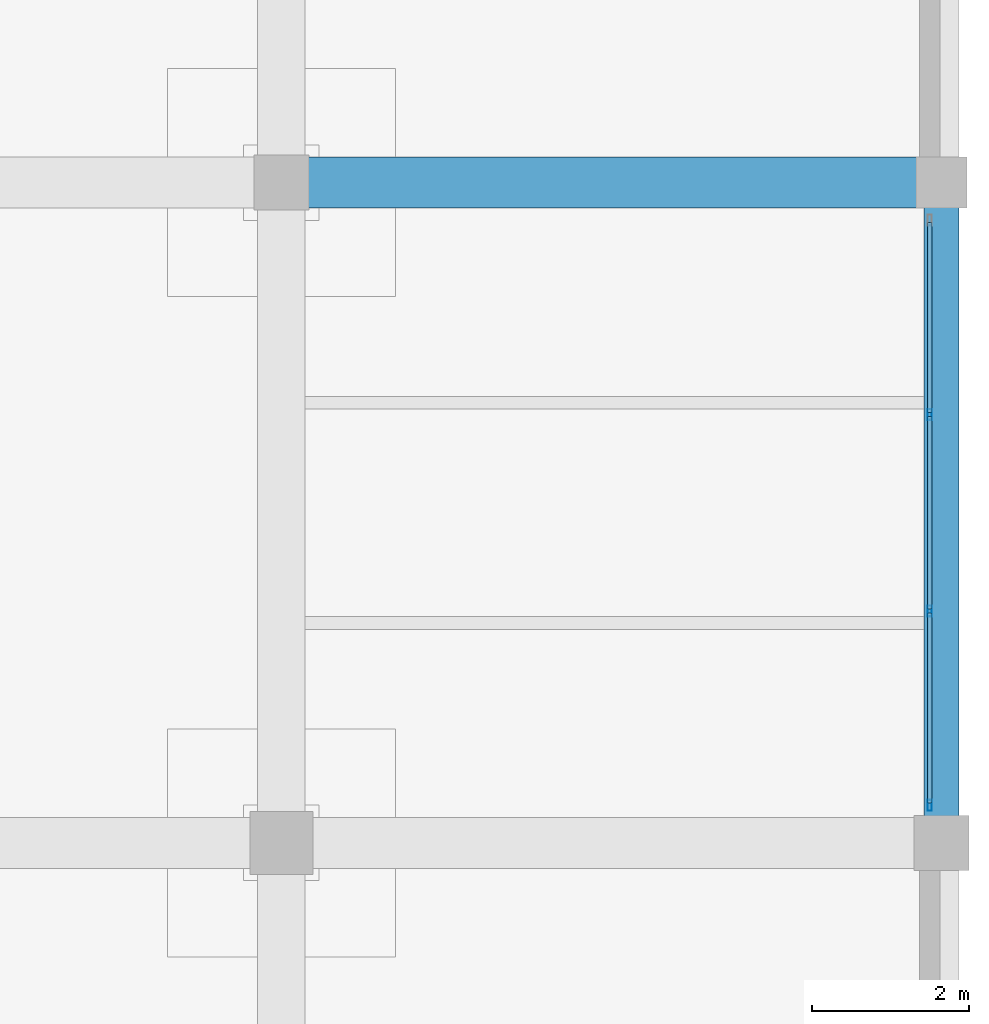
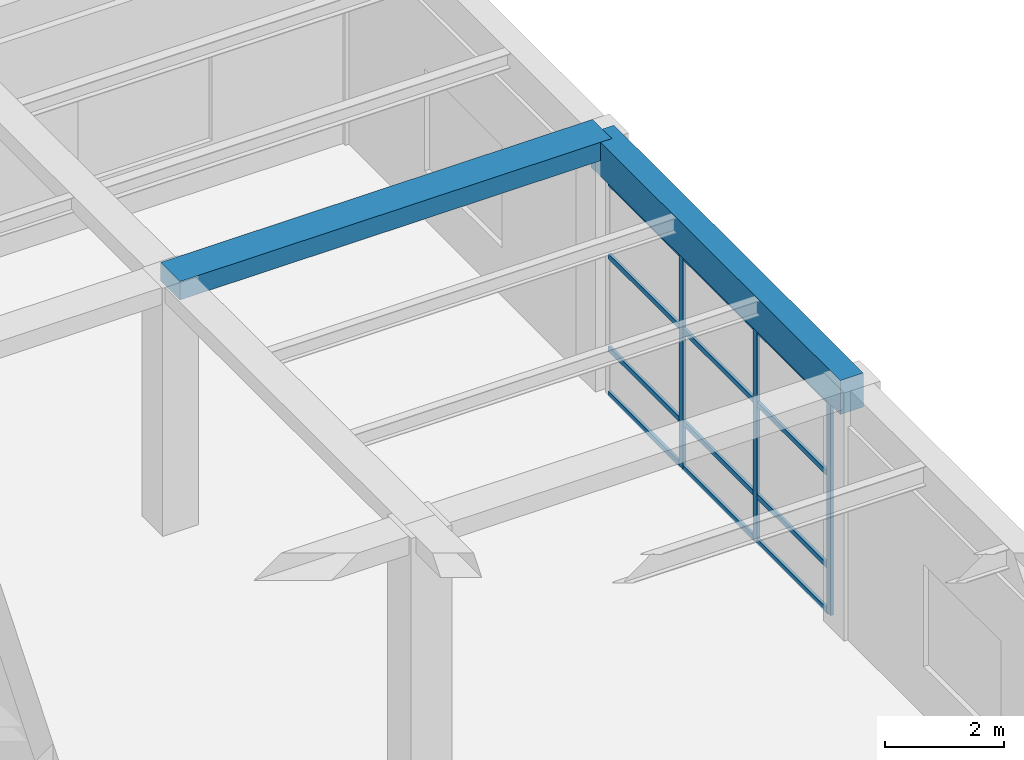
# One storey, part 65 of 95: 15 members, 2 beams, 1 element without a shape of its own.
"""IFC4 building model written with IfcOpenShell, lengths in metres."""

from ifc_helpers import new_model, si_unit, direction, frame, origin, origin_2d, place, context, subcontext, project, spatial, rectangle, hollow_rectangle, extrude, material, material_profile, profile_set, type_object, element, aggregate, save


model = new_model("IFC4")

# Units and contexts
model_context = context("Model", 3, precision=1e-05, world=origin(), true_north=direction((0.0, 1.0)))
body_context = subcontext(model_context, "Body", "Model", "MODEL_VIEW")
ifc_project = project(units=[si_unit("LENGTHUNIT", "METRE"), si_unit("AREAUNIT", "SQUARE_METRE"), si_unit("VOLUMEUNIT", "CUBIC_METRE"), si_unit("PLANEANGLEUNIT", "RADIAN"), si_unit("MASSUNIT", "GRAM", prefix="KILO")], contexts=[model_context])

# Site, building, storey
site_placement = place(None, origin())
site = spatial("IfcSite", under=ifc_project, at=site_placement, CompositionType="ELEMENT")
building_placement = place(site_placement, origin())
building = spatial("IfcBuilding", under=site, at=building_placement, Name="Almacenes y Pasaje Nevantli", CompositionType="ELEMENT")
storey_placement = place(building_placement, frame((0.0, 0.0, 11.39990234375)))
storey = spatial("IfcBuildingStorey", under=building, at=storey_placement, Name="L03", CompositionType="ELEMENT", Elevation=11.39990234375)

# Beams
ifc_material_1 = material(Name="Concrete C35/45", Category="concrete")
ifc_material_profile_1 = material_profile(ifc_material_1, rectangle(XDim=0.449951171875, YDim=0.699951171875, at=origin_2d()), Name="RC-BM-450x700")
ifc_profile_set_1 = profile_set([ifc_material_profile_1], Name="Concrete C35/45")
beam_type_1 = type_object("IfcBeamType", Name="BM-RC-450x700", PredefinedType="SPANDREL", material=ifc_profile_set_1)
beam_1_placement = place(storey_placement, frame((168.0, 100.800048828125, 4.75), z_axis=(0.0, 1.0, 0.0), x_axis=(-1.0, 0.0, 0.0)))
element("IfcBeam", 1, at=beam_1_placement, inside=storey, type_object=beam_type_1, Name="L03 North-South Reinforced Concrete Beam #2714", PredefinedType="SPANDREL", context=body_context, shape_type="SweptSolid", body=[
    extrude(rectangle(XDim=0.449951171875, YDim=0.699951171875, at=origin_2d()), origin(), (0.0, 0.0, 1.0), 8.39990234375),
])
ifc_material_2 = material(Name="Concrete C35/45", Category="concrete")
ifc_material_profile_2 = material_profile(ifc_material_2, rectangle(XDim=0.64990234375, YDim=0.3798828125, at=origin_2d()), Name="RC-BM-650x380")
ifc_profile_set_2 = profile_set([ifc_material_profile_2], Name="Concrete C35/45")
beam_type_2 = type_object("IfcBeamType", Name="BM-RC-650x380", PredefinedType="BEAM", material=ifc_profile_set_2)
beam_2_placement = place(storey_placement, frame((159.60009765625, 109.199951171875, 4.91015625), z_axis=(1.0, 0.0, 0.0), x_axis=(0.0, 1.0, 0.0)))
element("IfcBeam", 2, at=beam_2_placement, inside=storey, type_object=beam_type_2, Name="L03 East-West Reinforced Concrete Beam #2459", PredefinedType="BEAM", context=body_context, shape_type="SweptSolid", body=[
    extrude(rectangle(XDim=0.64990234375, YDim=0.3798828125, at=origin_2d()), origin(), (0.0, 0.0, 1.0), 8.39990234375),
])

# Curtain wall, members
ifc_material_3 = material(Name="Thermally Broken Aluminium and Low-E Glass", Category="aluminium")
curtain_wall_type = type_object("IfcCurtainWallType", Name="CW-UNIT-PODIUM", PredefinedType="USERDEFINED", material=ifc_material_3)
curtain_wall_placement = place(storey_placement, origin())
curtain_wall = element("IfcCurtainWall", 3, at=curtain_wall_placement, inside=storey, type_object=curtain_wall_type, Name="L03 East Office Wing Curtain Wall Bay 13", ObjectType="UNITIZED CURTAIN WALL", PredefinedType="USERDEFINED")
ifc_material_4 = material(Name="Thermally Broken Anodized Aluminium", Category="aluminium")
ifc_material_profile_3 = material_profile(ifc_material_4, hollow_rectangle(XDim=0.054931640625, YDim=0.139892578125, WallThickness=0.00341796875, at=origin_2d()), Name="ALU-MUL-55x140")
ifc_profile_set_3 = profile_set([ifc_material_profile_3], Name="Thermally Broken Anodized Aluminium")
member_type_1 = type_object("IfcMemberType", Name="CW-MUL-160", PredefinedType="MULLION", material=ifc_profile_set_3)
member_1_placement = place(storey_placement, frame((167.85009765625, 101.277587890625, 0.0), z_axis=(0.0, 0.0, 1.0), x_axis=(-1.0, 0.0, 0.0)))
member_1 = element("IfcMember", 4, at=member_1_placement, type_object=member_type_1, Name="CW-L03-057 mullion 1", PredefinedType="MULLION", context=body_context, shape_type="SweptSolid", body=[
    extrude(hollow_rectangle(XDim=0.054931640625, YDim=0.139892578125, WallThickness=0.00341796875, at=origin_2d()), origin(), (0.0, 0.0, 1.0), 4.380126953125),
])
member_2_placement = place(storey_placement, frame((167.85009765625, 103.75, 0.0), z_axis=(0.0, 0.0, 1.0), x_axis=(-1.0, 0.0, 0.0)))
member_2 = element("IfcMember", 5, at=member_2_placement, type_object=member_type_1, Name="CW-L03-057 mullion 2", PredefinedType="MULLION", context=body_context, shape_type="SweptSolid", body=[
    extrude(hollow_rectangle(XDim=0.054931640625, YDim=0.139892578125, WallThickness=0.00341796875, at=origin_2d()), origin(), (0.0, 0.0, 1.0), 4.380126953125),
])
member_3_placement = place(storey_placement, frame((167.85009765625, 106.25, 0.0), z_axis=(0.0, 0.0, 1.0), x_axis=(-1.0, 0.0, 0.0)))
member_3 = element("IfcMember", 6, at=member_3_placement, type_object=member_type_1, Name="CW-L03-057 mullion 3", PredefinedType="MULLION", context=body_context, shape_type="SweptSolid", body=[
    extrude(hollow_rectangle(XDim=0.054931640625, YDim=0.139892578125, WallThickness=0.00341796875, at=origin_2d()), origin(), (0.0, 0.0, 1.0), 4.380126953125),
])
ifc_material_5 = material(Name="Thermally Broken Anodized Aluminium", Category="aluminium")
ifc_material_profile_4 = material_profile(ifc_material_5, hollow_rectangle(XDim=0.054931640625, YDim=0.10498046875, WallThickness=0.003173828125, at=origin_2d()), Name="ALU-TRN-55x105")
ifc_profile_set_4 = profile_set([ifc_material_profile_4], Name="Thermally Broken Anodized Aluminium")
member_type_2 = type_object("IfcMemberType", Name="CW-TRN-120", PredefinedType="USERDEFINED", material=ifc_profile_set_4)
member_4_placement = place(storey_placement, frame((167.85009765625, 101.304931640625, 0.027587890625), z_axis=(0.0, 1.0, 0.0), x_axis=(-1.0, 0.0, 0.0)))
member_4 = element("IfcMember", 7, at=member_4_placement, type_object=member_type_2, Name="CW-L03-057 transom 1.1", ObjectType="TRANSOM", PredefinedType="USERDEFINED", context=body_context, shape_type="SweptSolid", body=[
    extrude(hollow_rectangle(XDim=0.054931640625, YDim=0.10498046875, WallThickness=0.003173828125, at=origin_2d()), origin(), (0.0, 0.0, 1.0), 2.41748046875),
])
member_5_placement = place(storey_placement, frame((167.85009765625, 101.304931640625, 0.9501953125), z_axis=(0.0, 1.0, 0.0), x_axis=(-1.0, 0.0, 0.0)))
member_5 = element("IfcMember", 8, at=member_5_placement, type_object=member_type_2, Name="CW-L03-057 transom 1.2", ObjectType="TRANSOM", PredefinedType="USERDEFINED", context=body_context, shape_type="SweptSolid", body=[
    extrude(hollow_rectangle(XDim=0.054931640625, YDim=0.10498046875, WallThickness=0.003173828125, at=origin_2d()), origin(), (0.0, 0.0, 1.0), 2.41748046875),
])
member_6_placement = place(storey_placement, frame((167.85009765625, 101.304931640625, 2.85009765625), z_axis=(0.0, 1.0, 0.0), x_axis=(-1.0, 0.0, 0.0)))
member_6 = element("IfcMember", 9, at=member_6_placement, type_object=member_type_2, Name="CW-L03-057 transom 1.3", ObjectType="TRANSOM", PredefinedType="USERDEFINED", context=body_context, shape_type="SweptSolid", body=[
    extrude(hollow_rectangle(XDim=0.054931640625, YDim=0.10498046875, WallThickness=0.003173828125, at=origin_2d()), origin(), (0.0, 0.0, 1.0), 2.41748046875),
])
member_7_placement = place(storey_placement, frame((167.85009765625, 101.304931640625, 4.3525390625), z_axis=(0.0, 1.0, 0.0), x_axis=(-1.0, 0.0, 0.0)))
member_7 = element("IfcMember", 10, at=member_7_placement, type_object=member_type_2, Name="CW-L03-057 transom 1.4", ObjectType="TRANSOM", PredefinedType="USERDEFINED", context=body_context, shape_type="SweptSolid", body=[
    extrude(hollow_rectangle(XDim=0.054931640625, YDim=0.10498046875, WallThickness=0.003173828125, at=origin_2d()), origin(), (0.0, 0.0, 1.0), 2.41748046875),
])
member_8_placement = place(storey_placement, frame((167.85009765625, 103.777587890625, 0.027587890625), z_axis=(0.0, 1.0, 0.0), x_axis=(-1.0, 0.0, 0.0)))
member_8 = element("IfcMember", 11, at=member_8_placement, type_object=member_type_2, Name="CW-L03-057 transom 2.1", ObjectType="TRANSOM", PredefinedType="USERDEFINED", context=body_context, shape_type="SweptSolid", body=[
    extrude(hollow_rectangle(XDim=0.054931640625, YDim=0.10498046875, WallThickness=0.003173828125, at=origin_2d()), origin(), (0.0, 0.0, 1.0), 2.44482421875),
])
member_9_placement = place(storey_placement, frame((167.85009765625, 103.777587890625, 0.9501953125), z_axis=(0.0, 1.0, 0.0), x_axis=(-1.0, 0.0, 0.0)))
member_9 = element("IfcMember", 12, at=member_9_placement, type_object=member_type_2, Name="CW-L03-057 transom 2.2", ObjectType="TRANSOM", PredefinedType="USERDEFINED", context=body_context, shape_type="SweptSolid", body=[
    extrude(hollow_rectangle(XDim=0.054931640625, YDim=0.10498046875, WallThickness=0.003173828125, at=origin_2d()), origin(), (0.0, 0.0, 1.0), 2.44482421875),
])
member_10_placement = place(storey_placement, frame((167.85009765625, 103.777587890625, 2.85009765625), z_axis=(0.0, 1.0, 0.0), x_axis=(-1.0, 0.0, 0.0)))
member_10 = element("IfcMember", 13, at=member_10_placement, type_object=member_type_2, Name="CW-L03-057 transom 2.3", ObjectType="TRANSOM", PredefinedType="USERDEFINED", context=body_context, shape_type="SweptSolid", body=[
    extrude(hollow_rectangle(XDim=0.054931640625, YDim=0.10498046875, WallThickness=0.003173828125, at=origin_2d()), origin(), (0.0, 0.0, 1.0), 2.44482421875),
])
member_11_placement = place(storey_placement, frame((167.85009765625, 103.777587890625, 4.3525390625), z_axis=(0.0, 1.0, 0.0), x_axis=(-1.0, 0.0, 0.0)))
member_11 = element("IfcMember", 14, at=member_11_placement, type_object=member_type_2, Name="CW-L03-057 transom 2.4", ObjectType="TRANSOM", PredefinedType="USERDEFINED", context=body_context, shape_type="SweptSolid", body=[
    extrude(hollow_rectangle(XDim=0.054931640625, YDim=0.10498046875, WallThickness=0.003173828125, at=origin_2d()), origin(), (0.0, 0.0, 1.0), 2.44482421875),
])
member_12_placement = place(storey_placement, frame((167.85009765625, 106.277587890625, 0.027587890625), z_axis=(0.0, 1.0, 0.0), x_axis=(-1.0, 0.0, 0.0)))
member_12 = element("IfcMember", 15, at=member_12_placement, type_object=member_type_2, Name="CW-L03-057 transom 3.1", ObjectType="TRANSOM", PredefinedType="USERDEFINED", context=body_context, shape_type="SweptSolid", body=[
    extrude(hollow_rectangle(XDim=0.054931640625, YDim=0.10498046875, WallThickness=0.003173828125, at=origin_2d()), origin(), (0.0, 0.0, 1.0), 2.41748046875),
])
member_13_placement = place(storey_placement, frame((167.85009765625, 106.277587890625, 0.9501953125), z_axis=(0.0, 1.0, 0.0), x_axis=(-1.0, 0.0, 0.0)))
member_13 = element("IfcMember", 16, at=member_13_placement, type_object=member_type_2, Name="CW-L03-057 transom 3.2", ObjectType="TRANSOM", PredefinedType="USERDEFINED", context=body_context, shape_type="SweptSolid", body=[
    extrude(hollow_rectangle(XDim=0.054931640625, YDim=0.10498046875, WallThickness=0.003173828125, at=origin_2d()), origin(), (0.0, 0.0, 1.0), 2.41748046875),
])
member_14_placement = place(storey_placement, frame((167.85009765625, 106.277587890625, 2.85009765625), z_axis=(0.0, 1.0, 0.0), x_axis=(-1.0, 0.0, 0.0)))
member_14 = element("IfcMember", 17, at=member_14_placement, type_object=member_type_2, Name="CW-L03-057 transom 3.3", ObjectType="TRANSOM", PredefinedType="USERDEFINED", context=body_context, shape_type="SweptSolid", body=[
    extrude(hollow_rectangle(XDim=0.054931640625, YDim=0.10498046875, WallThickness=0.003173828125, at=origin_2d()), origin(), (0.0, 0.0, 1.0), 2.41748046875),
])
member_15_placement = place(storey_placement, frame((167.85009765625, 106.277587890625, 4.3525390625), z_axis=(0.0, 1.0, 0.0), x_axis=(-1.0, 0.0, 0.0)))
member_15 = element("IfcMember", 18, at=member_15_placement, type_object=member_type_2, Name="CW-L03-057 transom 3.4", ObjectType="TRANSOM", PredefinedType="USERDEFINED", context=body_context, shape_type="SweptSolid", body=[
    extrude(hollow_rectangle(XDim=0.054931640625, YDim=0.10498046875, WallThickness=0.003173828125, at=origin_2d()), origin(), (0.0, 0.0, 1.0), 2.41748046875),
])
aggregate(curtain_wall, [member_1, member_2, member_3, member_4, member_5, member_6, member_7, member_8, member_9, member_10, member_11, member_12, member_13, member_14, member_15])

save(model, "model.ifc")
